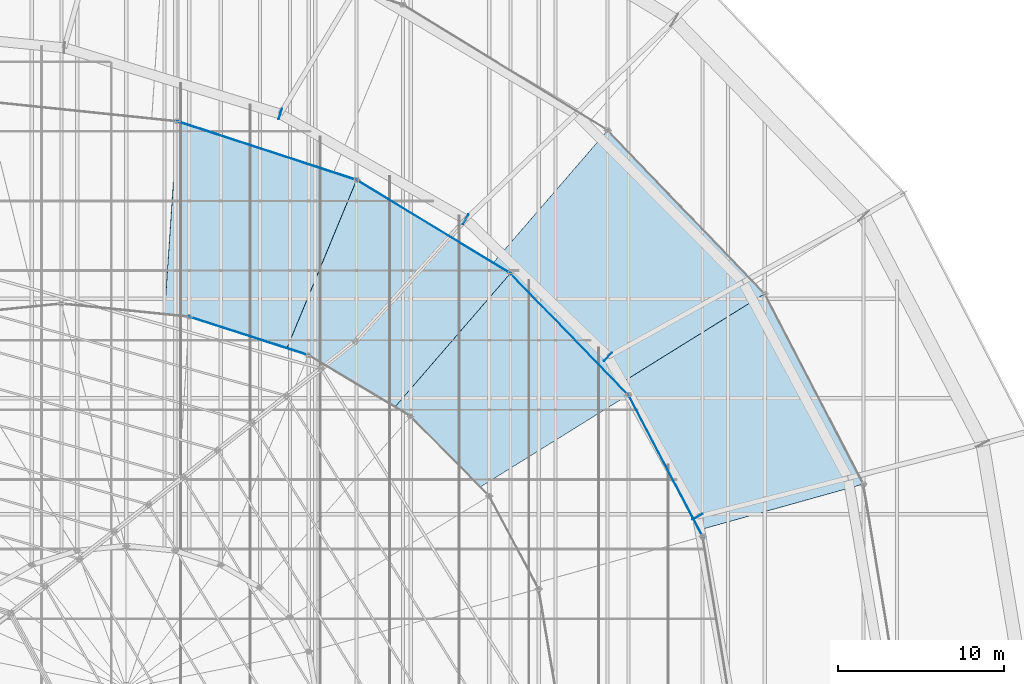
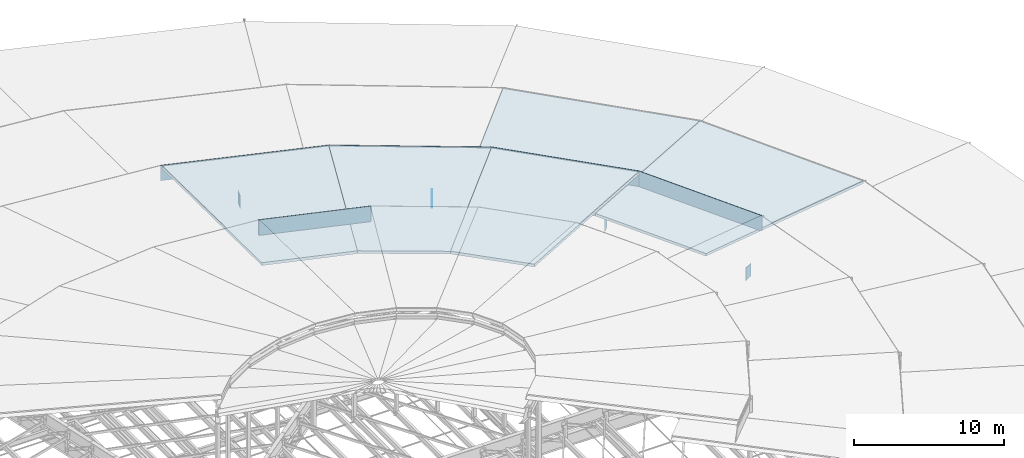
# One storey, part 152 of 184: 9 plates, 5 slabs.
"""IFC4 building model written with IfcOpenShell, lengths in metres."""

from ifc_helpers import new_model, si_unit, direction, frame, origin, origin_2d, place, context, subcontext, project, spatial, polyline, rectangle, outline, extrude, material, layer, layer_set, type_object, element, save


model = new_model("IFC4")

# Units and contexts
model_context = context("Model", 3, precision=1e-05, world=origin(), true_north=direction((0.0, 1.0)))
body_context = subcontext(model_context, "Body", "Model", "MODEL_VIEW")
ifc_project = project(units=[si_unit("LENGTHUNIT", "METRE"), si_unit("AREAUNIT", "SQUARE_METRE"), si_unit("VOLUMEUNIT", "CUBIC_METRE"), si_unit("PLANEANGLEUNIT", "RADIAN"), si_unit("MASSUNIT", "GRAM", prefix="KILO")], contexts=[model_context])

# Site, building, storey
site_placement = place(None, origin())
site = spatial("IfcSite", under=ifc_project, at=site_placement, CompositionType="ELEMENT")
building_placement = place(site_placement, origin())
building = spatial("IfcBuilding", under=site, at=building_placement, Name="Kalgoora Escarpment Arena", CompositionType="ELEMENT")
storey_placement = place(building_placement, frame((0.0, 0.0, 27.60009765625)))
storey = spatial("IfcBuildingStorey", under=building, at=storey_placement, Name="Roof Level", CompositionType="ELEMENT", Elevation=27.60009765625)

# Plates
ifc_material_1 = material(Name="Low-E double-glazed petal clerestory glass", Category="glass")
ifc_layer_1 = layer(ifc_material_1, 0.035888671875)
ifc_layer_set_1 = layer_set([ifc_layer_1], Name="PLT-PETAL-CLERESTORY")
plate_type_1 = type_object("IfcPlateType", Name="PLT-PETAL-CLERESTORY", PredefinedType="USERDEFINED", material=ifc_layer_set_1)
plate_1_placement = place(storey_placement, frame((142.6357421875, 77.43115234375, 2.7099609375), z_axis=(0.0, 0.0, 1.0), x_axis=(-0.464223811138, 0.885717930931, 0.0)))
element("IfcPlate", 1, at=plate_1_placement, inside=storey, type_object=plate_type_1, Name="Petal RP3 glazed clerestory collar panel S02", ObjectType="CLERESTORY PANEL", PredefinedType="USERDEFINED", context=body_context, shape_type="SweptSolid", body=[
    extrude(rectangle(XDim=9.784423828125, YDim=0.0400390625, at=origin_2d()), origin(), (0.0, 0.0, 1.0), 1.25),
])
plate_2_placement = place(storey_placement, frame((136.838134765625, 85.36572265625, 2.7099609375), z_axis=(0.0, 0.0, 1.0), x_axis=(-0.696664434978, 0.717397145963, 0.0)))
element("IfcPlate", 2, at=plate_2_placement, inside=storey, type_object=plate_type_1, Name="Petal RP3 glazed clerestory collar panel S03", ObjectType="CLERESTORY PANEL", PredefinedType="USERDEFINED", context=body_context, shape_type="SweptSolid", body=[
    extrude(rectangle(XDim=10.372802734375, YDim=0.0400390625, at=origin_2d()), origin(), (0.0, 0.0, 1.0), 1.25),
])
plate_3_placement = place(storey_placement, frame((128.63916015625, 91.844482421875, 2.7099609375), z_axis=(0.0, 0.0, 1.0), x_axis=(-0.855092904614, 0.518474806022, 0.0)))
element("IfcPlate", 3, at=plate_3_placement, inside=storey, type_object=plate_type_1, Name="Petal RP3 glazed clerestory collar panel S04", ObjectType="CLERESTORY PANEL", PredefinedType="USERDEFINED", context=body_context, shape_type="SweptSolid", body=[
    extrude(rectangle(XDim=11.013427734375, YDim=0.0400390625, at=origin_2d()), origin(), (0.0, 0.0, 1.0), 1.25),
])
plate_4_placement = place(storey_placement, frame((118.597412109375, 96.425537109375, 2.7099609375), z_axis=(0.0, 0.0, 1.0), x_axis=(-0.950407227189, 0.311008203279, 0.0)))
element("IfcPlate", 4, at=plate_4_placement, inside=storey, type_object=plate_type_1, Name="Petal RP3 glazed clerestory collar panel S05", ObjectType="CLERESTORY PANEL", PredefinedType="USERDEFINED", context=body_context, shape_type="SweptSolid", body=[
    extrude(rectangle(XDim=11.53955078125, YDim=0.0400390625, at=origin_2d()), origin(), (0.0, 0.0, 1.0), 1.25),
])
plate_5_placement = place(storey_placement, frame((117.50634765625, 85.250732421875, 5.159912109375), z_axis=(0.0, 0.0, 1.0), x_axis=(-0.951755204978, 0.306858322026, 0.0)))
element("IfcPlate", 5, at=plate_5_placement, inside=storey, type_object=plate_type_1, Name="Petal RP4 glazed clerestory collar panel S05", ObjectType="CLERESTORY PANEL", PredefinedType="USERDEFINED", context=body_context, shape_type="SweptSolid", body=[
    extrude(rectangle(XDim=7.664794921875, YDim=0.0400390625, at=origin_2d()), origin(), (0.0, 0.0, 1.0), 1.25),
])
ifc_material_2 = material(Name="Structural steel Grade 350 (350 MPa)", Category="steel")
ifc_layer_2 = layer(ifc_material_2, 0.031982421875)
ifc_layer_set_2 = layer_set([ifc_layer_2], Name="PLT-RING-DIAPH")
plate_type_2 = type_object("IfcPlateType", Name="PLT-RING-DIAPH", PredefinedType="USERDEFINED", material=ifc_layer_set_2)
for number, where, z_axis, x_axis, name in (
    (6, (144.56005859375, 74.352783203125, -1.760009765625), (0.0, 0.0, 1.0), (-0.488012005351, 0.872836916401, 0.0), "Inner ring node diaphragm plate 02"),
    (7, (139.165283203125, 84.0, -1.760009765625), (0.0, 0.0, 1.0), (-0.719461030139, 0.6945328114, 0.0), "Inner ring node diaphragm plate 03"),
    (8, (130.583740234375, 92.2841796875, -1.760009765625), (0.0, 0.0, 1.0), (-0.869408707144, 0.494093614554, 0.0), "Inner ring node diaphragm plate 04"),
    (9, (119.39990234375, 98.64111328125, -1.760009765625), (0.0, 0.0, 1.0), (-0.955998060733, 0.293372984228, 0.0), "Inner ring node diaphragm plate 05"),
):
    element("IfcPlate", number, at=place(storey_placement, frame(where, z_axis=z_axis, x_axis=x_axis)), inside=storey, type_object=plate_type_2, Name=name, ObjectType="FLANGE PLATE", PredefinedType="USERDEFINED", context=body_context, shape_type="SweptSolid", body=[
        extrude(rectangle(XDim=0.031982421875, YDim=0.679931640625, at=origin_2d()), origin(), (0.0, 0.0, 1.0), 1.02001953125),
    ])

# Slabs
ifc_material_3 = material(Name="White acoustic composite Concrete N40 (fc' 40 MPa)", Category="concrete")
ifc_layer_3 = layer(ifc_material_3, 0.205078125)
ifc_layer_set_3 = layer_set([ifc_layer_3], Name="SLB-PETAL-RP2")
slab_type_1 = type_object("IfcSlabType", Name="SLB-PETAL-RP2", PredefinedType="ROOF", material=ifc_layer_set_3)
slab_1_placement = place(storey_placement, frame((154.569091796875, 76.31982421875, 1.449951171875), z_axis=(0.096175714009, 0.049882625282, 0.994113653326), x_axis=(-0.460402199299, 0.887710434138, -1.827453e-06)))
element("IfcSlab", 10, at=slab_1_placement, inside=storey, type_object=slab_type_1, Name="Shifted white roof petal RP2 sector 02", PredefinedType="ROOF", context=body_context, shape_type="SweptSolid", body=[
    extrude(outline(polyline([(0.0, 0.0), (12.932396626213533, 0.0), (11.783693777194337, 14.814183068205171), (3.0650843180282195, 14.76649604783819), (0.0, 0.0)])), origin(), (0.0, 0.0, -1.0), 0.205078125),
])
slab_2_placement = place(storey_placement, frame((148.614990234375, 87.800048828125, 1.449951171875), z_axis=(0.079358009347, 0.076240466558, 0.993926404525), x_axis=(-0.692821104655, 0.721109504121, 3.198089e-06)))
element("IfcSlab", 11, at=slab_2_placement, inside=storey, type_object=slab_type_1, Name="Shifted white roof petal RP2 sector 03", PredefinedType="ROOF", context=body_context, shape_type="SweptSolid", body=[
    extrude(outline(polyline([(0.0, 0.0), (13.670819194827626, 0.0), (12.315659729382187, 14.599695663427498), (3.066364113598023, 14.538243301771319), (0.0, 0.0)])), origin(), (0.0, 0.0, -1.0), 0.205078125),
])
ifc_material_4 = material(Name="White acoustic composite Concrete N40 (fc' 40 MPa)", Category="concrete")
ifc_layer_4 = layer(ifc_material_4, 0.215087890625)
ifc_layer_set_4 = layer_set([ifc_layer_4], Name="SLB-PETAL-RP3")
slab_type_2 = type_object("IfcSlabType", Name="SLB-PETAL-RP3", PredefinedType="ROOF", material=ifc_layer_set_4)
slab_3_placement = place(storey_placement, frame((140.39794921875, 81.699951171875, 3.89990234375), z_axis=(0.079041386246, 0.07676462975, 0.99391128924), x_axis=(-0.696663212901, 0.717398332699, -5.625551e-06)))
element("IfcSlab", 12, at=slab_3_placement, inside=storey, type_object=slab_type_2, Name="Shifted white roof petal RP3 sector 03", PredefinedType="ROOF", context=body_context, shape_type="SweptSolid", body=[
    extrude(outline(polyline([(0.0, 0.0), (10.21962025038075, 8.881784197001252e-16), (8.94181020069177, 14.606805198879314), (3.1434943857436215, 14.5217881633815), (0.0, 0.0)])), origin(), (0.0, 0.0, -1.0), 0.215087890625),
])
slab_4_placement = place(storey_placement, frame((133.2783203125, 89.031494140625, 3.89990234375), z_axis=(0.057366877048, 0.094625274007, 0.993858691634), x_axis=(-0.855095723542, 0.518470156847, -6.24779e-06)))
element("IfcSlab", 13, at=slab_4_placement, inside=storey, type_object=slab_type_2, Name="Shifted white roof petal RP3 sector 04", PredefinedType="ROOF", context=body_context, shape_type="SweptSolid", body=[
    extrude(outline(polyline([(0.0, 0.0), (10.85062639202147, 0.0), (8.626139707347342, 14.53993197889935), (2.4255725057628674, 14.459542844709368), (0.0, 0.0)])), origin(), (0.0, 0.0, -1.0), 0.215087890625),
])
slab_5_placement = place(storey_placement, frame((124.0, 94.6572265625, 3.89990234375), z_axis=(0.033937663735, 0.103687694848, 0.994030732381), x_axis=(-0.950385154533, 0.311075646818, -8.70143e-07)))
element("IfcSlab", 14, at=slab_5_placement, inside=storey, type_object=slab_type_2, Name="Shifted white roof petal RP3 sector 05", PredefinedType="ROOF", context=body_context, shape_type="SweptSolid", body=[
    extrude(outline(polyline([(0.0, 0.0), (11.369003321278328, -4.440892098500626e-16), (7.639104349312495, 14.72228724666387), (1.1101001251086575, 14.666200486624565), (0.0, 0.0)])), origin(), (0.0, 0.0, -1.0), 0.215087890625),
])

save(model, "model.ifc")
